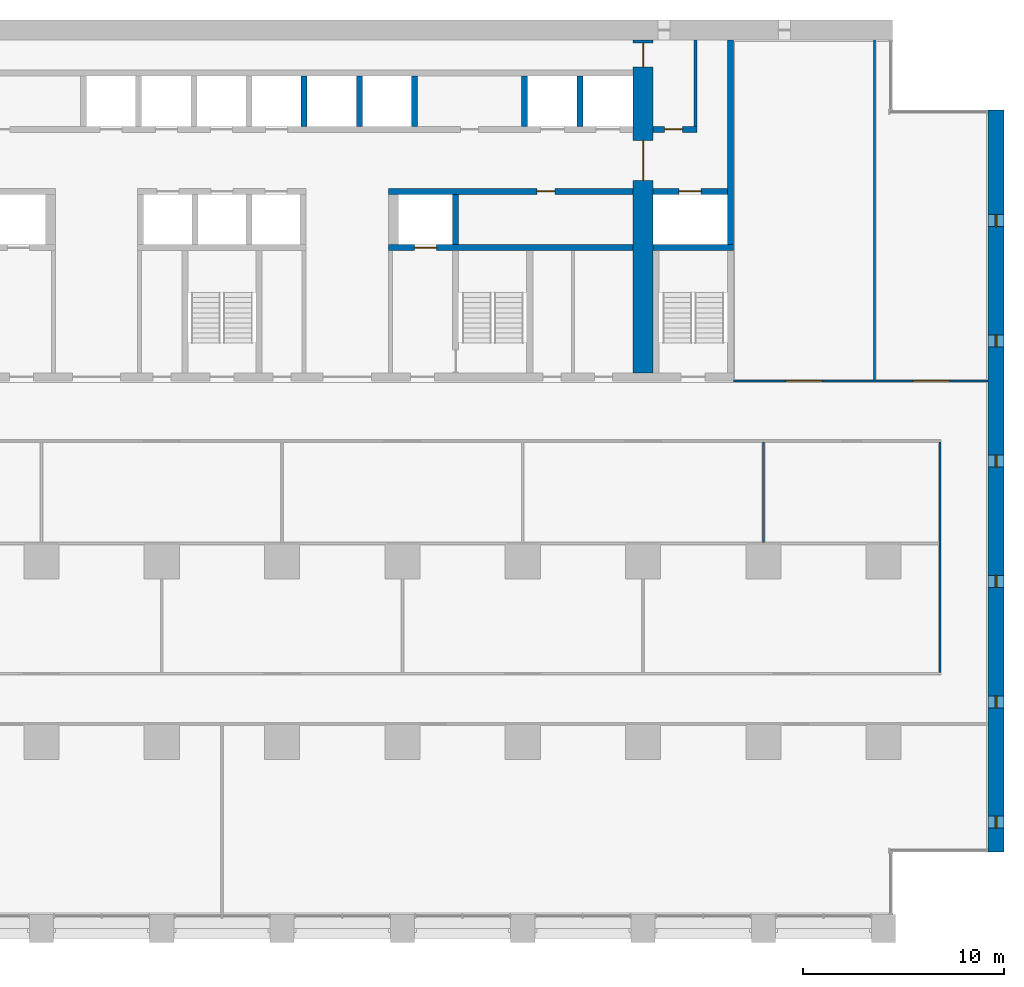
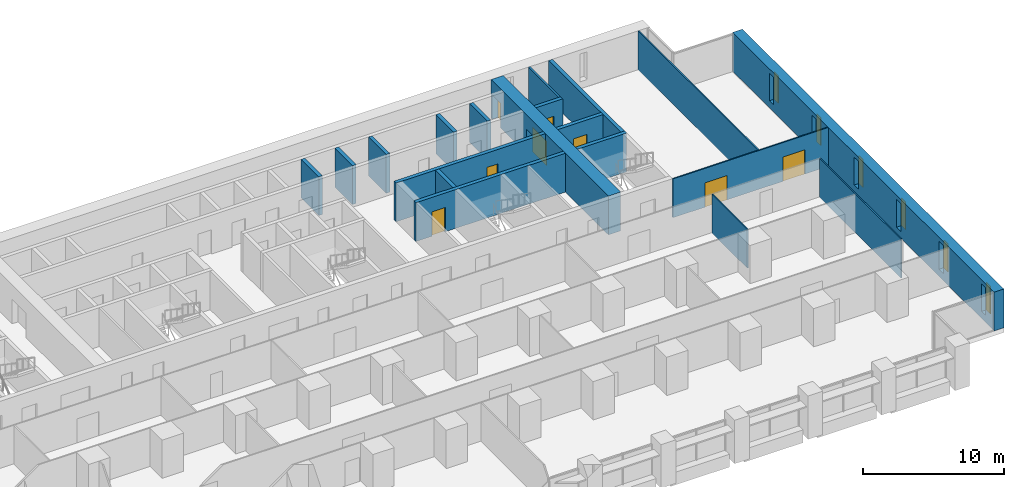
# One storey, part 13 of 18: 19 walls, 8 doors, 6 windows, 14 openings.
"""IFC4 building model written with IfcOpenShell, lengths in metres."""

from ifc_helpers import new_model, si_unit, direction, frame, frame_2d, origin, place, context, subcontext, project, spatial, rectangle, extrude, material, layer, layer_set, type_object, element, fill, save


model = new_model("IFC4")

# Units and contexts
model_context = context("Model", 3, precision=1e-05, world=origin(), true_north=direction((0.0, 1.0)))
body_context = subcontext(model_context, "Body", "Model", "MODEL_VIEW")
ifc_project = project(units=[si_unit("LENGTHUNIT", "METRE"), si_unit("AREAUNIT", "SQUARE_METRE"), si_unit("VOLUMEUNIT", "CUBIC_METRE"), si_unit("PLANEANGLEUNIT", "RADIAN"), si_unit("MASSUNIT", "GRAM", prefix="KILO")], contexts=[model_context])

# Site, building, storey
site_placement = place(None, origin())
site = spatial("IfcSite", under=ifc_project, at=site_placement, CompositionType="ELEMENT")
building_placement = place(site_placement, origin())
building = spatial("IfcBuilding", under=site, at=building_placement, Name="Calvaro Tower", CompositionType="ELEMENT")
storey_placement = place(building_placement, frame((0.0, 0.0, 41.25)))
storey = spatial("IfcBuildingStorey", under=building, at=storey_placement, Name="L09", CompositionType="ELEMENT", Elevation=41.25)

# Wall
ifc_material_1 = material(Name="Blockwork partition", Category="masonry")
ifc_layer_1 = layer(ifc_material_1, 0.14990234375)
ifc_layer_set_1 = layer_set([ifc_layer_1], Name="Blockwork partition")
wall_type_1 = type_object("IfcWallType", Name="Core partition 150 REI 120", PredefinedType="PARTITIONING", material=ifc_layer_set_1)
wall_1_placement = place(storey_placement, frame((62.625, 40.699951171875, 0.0), z_axis=(0.0, 0.0, 1.0), x_axis=(0.0, 1.0, 0.0)))
element("IfcWall", 1, at=wall_1_placement, inside=storey, type_object=wall_type_1, Name="Core partition", PredefinedType="PARTITIONING", context=body_context, shape_type="SweptSolid", body=[
    extrude(rectangle(XDim=4.300048828125, YDim=0.14990234375, at=frame_2d((2.14990234375, 0.0))), origin(), (0.0, 0.0, 1.0), 3.35009765625),
])

# Wall, opening, door
ifc_material_2 = material(Name="Blockwork partition", Category="masonry")
ifc_layer_2 = layer(ifc_material_2, 0.300048828125)
ifc_layer_set_2 = layer_set([ifc_layer_2], Name="Blockwork partition")
wall_type_2 = type_object("IfcWallType", Name="Core partition 300 REI 120", PredefinedType="PARTITIONING", material=ifc_layer_set_2)
wall_2_placement = place(storey_placement, frame((60.5, 40.550048828125, 0.0), z_axis=(0.0, 0.0, 1.0), x_axis=(1.0, 0.0, 0.0)))
wall_2 = element("IfcWall", 2, at=wall_2_placement, inside=storey, type_object=wall_type_2, Name="Core partition", PredefinedType="PARTITIONING", context=body_context, shape_type="SweptSolid", body=[
    extrude(rectangle(XDim=2.199951171875, YDim=0.300048828125, at=frame_2d((1.10009765625, 0.0))), origin(), (0.0, 0.0, 1.0), 3.35009765625),
])
opening_1_placement = place(wall_2_placement, frame((0.574951171875, 0.0, 0.0)))
opening_1 = element("IfcOpeningElement", 3, at=opening_1_placement, cuts=wall_2, Name="Opening RD9E", PredefinedType="OPENING", context=body_context, shape_type="SweptSolid", body=[
    extrude(rectangle(XDim=0.89990234375, YDim=2.10009765625, at=frame_2d((0.449951171875, 1.050048828125))), frame((0.0, 0.159912109375, 0.0), z_axis=(0.0, -1.0, 0.0), x_axis=(1.0, 0.0, 0.0)), (0.0, 0.0, 1.0), 0.320068359375),
])
ifc_material_3 = material(Name="Steel door set", Category="steel")
door_type_1 = type_object("IfcDoorType", Name="Room door 900 FD60", OperationType="SINGLE_SWING_LEFT", PredefinedType="DOOR", material=ifc_material_3)
door_1_placement = place(opening_1_placement, origin())
door_1 = element("IfcDoor", 4, at=door_1_placement, inside=storey, type_object=door_type_1, Name="Room door", OperationType="SINGLE_SWING_LEFT", OverallHeight=2.10009765625, OverallWidth=0.89990234375, PredefinedType="DOOR", context=body_context, shape_type="SweptSolid", body=[
    extrude(rectangle(XDim=0.89990234375, YDim=2.10009765625, at=frame_2d((0.449951171875, 1.050048828125))), frame((0.0, 0.02490234375, 0.0), z_axis=(0.0, -1.0, 0.0), x_axis=(1.0, 0.0, 0.0)), (0.0, 0.0, 1.0), 0.050048828125),
])
fill(opening_1, door_1)

# Wall, openings, doors
ifc_material_4 = material(Name="Concrete C80/95", Category="concrete")
ifc_layer_3 = layer(ifc_material_4, 1.0)
ifc_layer_set_3 = layer_set([ifc_layer_3], Name="Concrete C80/95")
wall_type_3 = type_object("IfcWallType", Name="Core wall C80/95 1000", PredefinedType="SHEAR", material=ifc_layer_set_3)
wall_3_placement = place(storey_placement, frame((60.0, 28.39990234375, 0.0), z_axis=(0.0, 0.0, 1.0), x_axis=(0.0, 1.0, 0.0)))
wall_3 = element("IfcWall", 5, at=wall_3_placement, inside=storey, type_object=wall_type_3, Name="Core wall, cross shear wall", PredefinedType="SHEAR", context=body_context, shape_type="SweptSolid", body=[
    extrude(rectangle(XDim=16.60009765625, YDim=1.0, at=frame_2d((8.300048828125, 0.0))), origin(), (0.0, 0.0, 1.0), 3.35009765625),
])
opening_2_placement = place(wall_3_placement, frame((9.60009765625, 0.0, 0.0)))
opening_2 = element("IfcOpeningElement", 6, at=opening_2_placement, cuts=wall_3, Name="Opening DD20D", PredefinedType="OPENING", context=body_context, shape_type="SweptSolid", body=[
    extrude(rectangle(XDim=2.0, YDim=2.10009765625, at=frame_2d((1.0, 1.050048828125))), frame((0.0, 0.510009765625, 0.0), z_axis=(0.0, -1.0, 0.0), x_axis=(1.0, 0.0, 0.0)), (0.0, 0.0, 1.0), 1.02001953125),
])
opening_3_placement = place(wall_3_placement, frame((15.25, 0.0, 0.0)))
opening_3 = element("IfcOpeningElement", 7, at=opening_3_placement, cuts=wall_3, Name="Opening FD12C", PredefinedType="OPENING", context=body_context, shape_type="SweptSolid", body=[
    extrude(rectangle(XDim=1.199951171875, YDim=2.10009765625, at=frame_2d((0.60009765625, 1.050048828125))), frame((0.0, 0.510009765625, 0.0), z_axis=(0.0, -1.0, 0.0), x_axis=(1.0, 0.0, 0.0)), (0.0, 0.0, 1.0), 1.02001953125),
])
ifc_material_5 = material(Name="Steel door set", Category="steel")
door_type_2 = type_object("IfcDoorType", Name="Fire door 1200 FD30", OperationType="SINGLE_SWING_LEFT", PredefinedType="DOOR", material=ifc_material_5)
door_2_placement = place(opening_3_placement, origin())
door_2 = element("IfcDoor", 8, at=door_2_placement, inside=storey, type_object=door_type_2, Name="Fire door", OperationType="SINGLE_SWING_LEFT", OverallHeight=2.10009765625, OverallWidth=1.199951171875, PredefinedType="DOOR", context=body_context, shape_type="SweptSolid", body=[
    extrude(rectangle(XDim=1.199951171875, YDim=2.10009765625, at=frame_2d((0.60009765625, 1.050048828125))), frame((0.0, 0.02490234375, 0.0), z_axis=(0.0, -1.0, 0.0), x_axis=(1.0, 0.0, 0.0)), (0.0, 0.0, 1.0), 0.050048828125),
])
fill(opening_3, door_2)
ifc_material_6 = material(Name="Steel door set", Category="steel")
door_type_3 = type_object("IfcDoorType", Name="Lobby double door 2000 FD30S", OperationType="DOUBLE_DOOR_SINGLE_SWING", PredefinedType="DOOR", material=ifc_material_6)
door_3_placement = place(opening_2_placement, origin())
door_3 = element("IfcDoor", 9, at=door_3_placement, inside=storey, type_object=door_type_3, Name="Lobby double door", OperationType="DOUBLE_DOOR_SINGLE_SWING", OverallHeight=2.10009765625, OverallWidth=2.0, PredefinedType="DOOR", context=body_context, shape_type="SweptSolid", body=[
    extrude(rectangle(XDim=2.0, YDim=2.10009765625, at=frame_2d((1.0, 1.050048828125))), frame((0.0, 0.02490234375, 0.0), z_axis=(0.0, -1.0, 0.0), x_axis=(1.0, 0.0, 0.0)), (0.0, 0.0, 1.0), 0.050048828125),
])
fill(opening_2, door_3)

# Wall
ifc_material_7 = material(Name="Concrete C80/95", Category="concrete")
ifc_layer_4 = layer(ifc_material_7, 0.300048828125)
ifc_layer_set_4 = layer_set([ifc_layer_4], Name="Concrete C80/95")
wall_type_4 = type_object("IfcWallType", Name="Core wall C80/95 300", PredefinedType="SHEAR", material=ifc_layer_set_4)
wall_4_placement = place(storey_placement, frame((64.35009765625, 34.800048828125, 0.0), z_axis=(0.0, 0.0, 1.0), x_axis=(0.0, 1.0, 0.0)))
element("IfcWall", 10, at=wall_4_placement, inside=storey, type_object=wall_type_4, Name="Core wall, boundary", PredefinedType="SHEAR", context=body_context, shape_type="SweptSolid", body=[
    extrude(rectangle(XDim=10.199951171875, YDim=0.300048828125, at=frame_2d((5.10009765625, 0.0))), origin(), (0.0, 0.0, 1.0), 3.35009765625),
])

# Wall, opening, door
wall_5_placement = place(storey_placement, frame((47.300048828125, 34.64990234375, 0.0), z_axis=(0.0, 0.0, 1.0), x_axis=(1.0, 0.0, 0.0)))
wall_5 = element("IfcWall", 11, at=wall_5_placement, inside=storey, type_object=wall_type_4, Name="Core wall, lift shaft", PredefinedType="SHEAR", context=body_context, shape_type="SweptSolid", body=[
    extrude(rectangle(XDim=12.199951171875, YDim=0.300048828125, at=frame_2d((6.10009765625, 0.0))), origin(), (0.0, 0.0, 1.0), 3.35009765625),
])
opening_4_placement = place(wall_5_placement, frame((1.300048828125, 0.0, 0.0)))
opening_4 = element("IfcOpeningElement", 12, at=opening_4_placement, cuts=wall_5, Name="Opening FF2", PredefinedType="OPENING", context=body_context, shape_type="SweptSolid", body=[
    extrude(rectangle(XDim=1.10009765625, YDim=2.10009765625, at=frame_2d((0.550048828125, 1.050048828125))), frame((0.0, 0.159912109375, 0.0), z_axis=(0.0, -1.0, 0.0), x_axis=(1.0, 0.0, 0.0)), (0.0, 0.0, 1.0), 0.320068359375),
])
ifc_material_8 = material(Name="Stainless steel", Category="steel")
door_type_4 = type_object("IfcDoorType", Name="Landing door 1100 E 60", OperationType="SLIDING_TO_LEFT", PredefinedType="DOOR", material=ifc_material_8)
door_4_placement = place(opening_4_placement, origin())
door_4 = element("IfcDoor", 13, at=door_4_placement, inside=storey, type_object=door_type_4, Name="Landing door FF2", OperationType="SLIDING_TO_LEFT", OverallHeight=2.10009765625, OverallWidth=1.10009765625, PredefinedType="DOOR", context=body_context, shape_type="SweptSolid", body=[
    extrude(rectangle(XDim=1.10009765625, YDim=2.10009765625, at=frame_2d((0.550048828125, 1.050048828125))), frame((0.0, 0.02490234375, 0.0), z_axis=(0.0, -1.0, 0.0), x_axis=(1.0, 0.0, 0.0)), (0.0, 0.0, 1.0), 0.050048828125),
])
fill(opening_4, door_4)

# Wall
wall_6_placement = place(storey_placement, frame((60.5, 34.64990234375, 0.0), z_axis=(0.0, 0.0, 1.0), x_axis=(1.0, 0.0, 0.0)))
element("IfcWall", 14, at=wall_6_placement, inside=storey, type_object=wall_type_4, Name="Core wall, lift shaft", PredefinedType="SHEAR", context=body_context, shape_type="SweptSolid", body=[
    extrude(rectangle(XDim=4.0, YDim=0.300048828125, at=frame_2d((2.0, 0.0))), origin(), (0.0, 0.0, 1.0), 3.35009765625),
])

# Wall, opening, door
wall_7_placement = place(storey_placement, frame((59.5, 37.449951171875, 0.0), z_axis=(0.0, 0.0, 1.0), x_axis=(-1.0, 0.0, 0.0)))
wall_7 = element("IfcWall", 15, at=wall_7_placement, inside=storey, type_object=wall_type_4, Name="Core wall, bay", PredefinedType="SHEAR", context=body_context, shape_type="SweptSolid", body=[
    extrude(rectangle(XDim=12.199951171875, YDim=0.300048828125, at=frame_2d((6.10009765625, 0.0))), origin(), (0.0, 0.0, 1.0), 3.35009765625),
])
opening_5_placement = place(wall_7_placement, frame((3.89990234375, 0.0, 0.0)))
opening_5 = element("IfcOpeningElement", 16, at=opening_5_placement, cuts=wall_7, Name="Opening RD9C", PredefinedType="OPENING", context=body_context, shape_type="SweptSolid", body=[
    extrude(rectangle(XDim=0.89990234375, YDim=2.10009765625, at=frame_2d((0.449951171875, 1.050048828125))), frame((0.0, 0.159912109375, 0.0), z_axis=(0.0, -1.0, 0.0), x_axis=(1.0, 0.0, 0.0)), (0.0, 0.0, 1.0), 0.320068359375),
])
ifc_material_9 = material(Name="Steel door set", Category="steel")
door_type_5 = type_object("IfcDoorType", Name="Room door 900 FD30", OperationType="SINGLE_SWING_LEFT", PredefinedType="DOOR", material=ifc_material_9)
door_5_placement = place(opening_5_placement, origin())
door_5 = element("IfcDoor", 17, at=door_5_placement, inside=storey, type_object=door_type_5, Name="Room door", OperationType="SINGLE_SWING_RIGHT", OverallHeight=2.10009765625, OverallWidth=0.89990234375, PredefinedType="DOOR", context=body_context, shape_type="SweptSolid", body=[
    extrude(rectangle(XDim=0.89990234375, YDim=2.10009765625, at=frame_2d((0.449951171875, 1.050048828125))), frame((0.0, 0.02490234375, 0.0), z_axis=(0.0, -1.0, 0.0), x_axis=(1.0, 0.0, 0.0)), (0.0, 0.0, 1.0), 0.050048828125),
])
fill(opening_5, door_5)

wall_8_placement = place(storey_placement, frame((60.5, 37.449951171875, 0.0), z_axis=(0.0, 0.0, 1.0), x_axis=(1.0, 0.0, 0.0)))
wall_8 = element("IfcWall", 18, at=wall_8_placement, inside=storey, type_object=wall_type_4, Name="Core wall, lift shaft", PredefinedType="SHEAR", context=body_context, shape_type="SweptSolid", body=[
    extrude(rectangle(XDim=3.699951171875, YDim=0.300048828125, at=frame_2d((1.85009765625, 0.0))), origin(), (0.0, 0.0, 1.0), 3.35009765625),
])
opening_6_placement = place(wall_8_placement, frame((1.300048828125, 0.0, 0.0)))
opening_6 = element("IfcOpeningElement", 19, at=opening_6_placement, cuts=wall_8, Name="Opening FF3", PredefinedType="OPENING", context=body_context, shape_type="SweptSolid", body=[
    extrude(rectangle(XDim=1.10009765625, YDim=2.10009765625, at=frame_2d((0.550048828125, 1.050048828125))), frame((0.0, 0.159912109375, 0.0), z_axis=(0.0, -1.0, 0.0), x_axis=(1.0, 0.0, 0.0)), (0.0, 0.0, 1.0), 0.320068359375),
])
door_6_placement = place(opening_6_placement, origin())
door_6 = element("IfcDoor", 20, at=door_6_placement, inside=storey, type_object=door_type_4, Name="Landing door FF3", OperationType="SLIDING_TO_LEFT", OverallHeight=2.10009765625, OverallWidth=1.10009765625, PredefinedType="DOOR", context=body_context, shape_type="SweptSolid", body=[
    extrude(rectangle(XDim=1.10009765625, YDim=2.10009765625, at=frame_2d((0.550048828125, 1.050048828125))), frame((0.0, 0.02490234375, 0.0), z_axis=(0.0, -1.0, 0.0), x_axis=(1.0, 0.0, 0.0)), (0.0, 0.0, 1.0), 0.050048828125),
])
fill(opening_6, door_6)

# Walls
for number, where, z_axis, x_axis, name in (
    (21, (50.64990234375, 34.800048828125, 0.0), (0.0, 0.0, 1.0), (0.0, 1.0, 0.0), "Core wall, lift shaft"),
    (22, (43.10009765625, 40.699951171875, 0.0), (0.0, 0.0, 1.0), (0.0, 1.0, 0.0), "Core wall, lift shaft"),
    (23, (45.85009765625, 40.699951171875, 0.0), (0.0, 0.0, 1.0), (0.0, 1.0, 0.0), "Core wall, lift shaft"),
    (24, (48.60009765625, 40.699951171875, 0.0), (0.0, 0.0, 1.0), (0.0, 1.0, 0.0), "Core wall, lift shaft"),
    (25, (54.10009765625, 40.699951171875, 0.0), (0.0, 0.0, 1.0), (0.0, 1.0, 0.0), "Core wall, lift shaft"),
    (26, (56.85009765625, 40.699951171875, 0.0), (0.0, 0.0, 1.0), (0.0, 1.0, 0.0), "Core wall, lift shaft"),
):
    element("IfcWall", number, at=place(storey_placement, frame(where, z_axis=z_axis, x_axis=x_axis)), inside=storey, type_object=wall_type_4, Name=name, PredefinedType="SHEAR", context=body_context, shape_type="SweptSolid", body=[
        extrude(rectangle(XDim=2.5, YDim=0.300048828125, at=frame_2d((1.25, 0.0))), origin(), (0.0, 0.0, 1.0), 3.35009765625),
    ])

# Wall, openings, windows
ifc_material_10 = material(Name="Concrete C80/95", Category="concrete")
ifc_layer_5 = layer(ifc_material_10, 0.800048828125)
ifc_layer_set_5 = layer_set([ifc_layer_5], Name="Concrete C80/95")
wall_type_5 = type_object("IfcWallType", Name="End wall 800 C80/95", PredefinedType="SHEAR", material=ifc_layer_set_5)
wall_9_placement = place(storey_placement, frame((77.60009765625, 4.5, 0.0), z_axis=(0.0, 0.0, 1.0), x_axis=(0.0, 1.0, 0.0)))
wall_9 = element("IfcWall", 27, at=wall_9_placement, inside=storey, type_object=wall_type_5, Name="End shear wall", PredefinedType="SHEAR", context=body_context, shape_type="SweptSolid", body=[
    extrude(rectangle(XDim=37.0, YDim=0.800048828125, at=frame_2d((18.5, 0.0))), origin(), (0.0, 0.0, 1.0), 3.35009765625),
])
opening_7_placement = place(wall_9_placement, frame((1.199951171875, 0.0, 0.60009765625)))
opening_7 = element("IfcOpeningElement", 28, at=opening_7_placement, cuts=wall_9, Name="Opening WE01", PredefinedType="OPENING", context=body_context, shape_type="SweptSolid", body=[
    extrude(rectangle(XDim=0.60009765625, YDim=2.39990234375, at=frame_2d((0.300048828125, 1.199951171875))), frame((0.0, 0.409912109375, 0.0), z_axis=(0.0, -1.0, 0.0), x_axis=(1.0, 0.0, 0.0)), (0.0, 0.0, 1.0), 0.820068359375),
])
opening_8_placement = place(wall_9_placement, frame((7.199951171875, 0.0, 0.60009765625)))
opening_8 = element("IfcOpeningElement", 29, at=opening_8_placement, cuts=wall_9, Name="Opening WE02", PredefinedType="OPENING", context=body_context, shape_type="SweptSolid", body=[
    extrude(rectangle(XDim=0.60009765625, YDim=2.39990234375, at=frame_2d((0.300048828125, 1.199951171875))), frame((0.0, 0.409912109375, 0.0), z_axis=(0.0, -1.0, 0.0), x_axis=(1.0, 0.0, 0.0)), (0.0, 0.0, 1.0), 0.820068359375),
])
opening_9_placement = place(wall_9_placement, frame((13.199951171875, 0.0, 0.60009765625)))
opening_9 = element("IfcOpeningElement", 30, at=opening_9_placement, cuts=wall_9, Name="Opening WE03", PredefinedType="OPENING", context=body_context, shape_type="SweptSolid", body=[
    extrude(rectangle(XDim=0.60009765625, YDim=2.39990234375, at=frame_2d((0.300048828125, 1.199951171875))), frame((0.0, 0.409912109375, 0.0), z_axis=(0.0, -1.0, 0.0), x_axis=(1.0, 0.0, 0.0)), (0.0, 0.0, 1.0), 0.820068359375),
])
opening_10_placement = place(wall_9_placement, frame((19.199951171875, 0.0, 0.60009765625)))
opening_10 = element("IfcOpeningElement", 31, at=opening_10_placement, cuts=wall_9, Name="Opening WE04", PredefinedType="OPENING", context=body_context, shape_type="SweptSolid", body=[
    extrude(rectangle(XDim=0.60009765625, YDim=2.39990234375, at=frame_2d((0.300048828125, 1.199951171875))), frame((0.0, 0.409912109375, 0.0), z_axis=(0.0, -1.0, 0.0), x_axis=(1.0, 0.0, 0.0)), (0.0, 0.0, 1.0), 0.820068359375),
])
opening_11_placement = place(wall_9_placement, frame((25.199951171875, 0.0, 0.60009765625)))
opening_11 = element("IfcOpeningElement", 32, at=opening_11_placement, cuts=wall_9, Name="Opening WE05", PredefinedType="OPENING", context=body_context, shape_type="SweptSolid", body=[
    extrude(rectangle(XDim=0.60009765625, YDim=2.39990234375, at=frame_2d((0.300048828125, 1.199951171875))), frame((0.0, 0.409912109375, 0.0), z_axis=(0.0, -1.0, 0.0), x_axis=(1.0, 0.0, 0.0)), (0.0, 0.0, 1.0), 0.820068359375),
])
opening_12_placement = place(wall_9_placement, frame((31.199951171875, 0.0, 0.60009765625)))
opening_12 = element("IfcOpeningElement", 33, at=opening_12_placement, cuts=wall_9, Name="Opening WE06", PredefinedType="OPENING", context=body_context, shape_type="SweptSolid", body=[
    extrude(rectangle(XDim=0.60009765625, YDim=2.39990234375, at=frame_2d((0.300048828125, 1.199951171875))), frame((0.0, 0.409912109375, 0.0), z_axis=(0.0, -1.0, 0.0), x_axis=(1.0, 0.0, 0.0)), (0.0, 0.0, 1.0), 0.820068359375),
])
ifc_material_11 = material(Name="Glass", Category="glass")
window_type = type_object("IfcWindowType", Name="Slit window 600 x 2400", PartitioningType="SINGLE_PANEL", PredefinedType="WINDOW", material=ifc_material_11)
window_1_placement = place(opening_7_placement, origin())
window_1 = element("IfcWindow", 34, at=window_1_placement, inside=storey, type_object=window_type, Name="Window WE01", OverallHeight=2.39990234375, OverallWidth=0.60009765625, PartitioningType="SINGLE_PANEL", PredefinedType="WINDOW", context=body_context, shape_type="SweptSolid", body=[
    extrude(rectangle(XDim=0.60009765625, YDim=2.39990234375, at=frame_2d((0.300048828125, 1.199951171875))), frame((0.0, 0.030029296875, 0.0), z_axis=(0.0, -1.0, 0.0), x_axis=(1.0, 0.0, 0.0)), (0.0, 0.0, 1.0), 0.06005859375),
])
fill(opening_7, window_1)
window_2_placement = place(opening_8_placement, origin())
window_2 = element("IfcWindow", 35, at=window_2_placement, inside=storey, type_object=window_type, Name="Window WE02", OverallHeight=2.39990234375, OverallWidth=0.60009765625, PartitioningType="SINGLE_PANEL", PredefinedType="WINDOW", context=body_context, shape_type="SweptSolid", body=[
    extrude(rectangle(XDim=0.60009765625, YDim=2.39990234375, at=frame_2d((0.300048828125, 1.199951171875))), frame((0.0, 0.030029296875, 0.0), z_axis=(0.0, -1.0, 0.0), x_axis=(1.0, 0.0, 0.0)), (0.0, 0.0, 1.0), 0.06005859375),
])
fill(opening_8, window_2)
window_3_placement = place(opening_9_placement, origin())
window_3 = element("IfcWindow", 36, at=window_3_placement, inside=storey, type_object=window_type, Name="Window WE03", OverallHeight=2.39990234375, OverallWidth=0.60009765625, PartitioningType="SINGLE_PANEL", PredefinedType="WINDOW", context=body_context, shape_type="SweptSolid", body=[
    extrude(rectangle(XDim=0.60009765625, YDim=2.39990234375, at=frame_2d((0.300048828125, 1.199951171875))), frame((0.0, 0.030029296875, 0.0), z_axis=(0.0, -1.0, 0.0), x_axis=(1.0, 0.0, 0.0)), (0.0, 0.0, 1.0), 0.06005859375),
])
fill(opening_9, window_3)
window_4_placement = place(opening_10_placement, origin())
window_4 = element("IfcWindow", 37, at=window_4_placement, inside=storey, type_object=window_type, Name="Window WE04", OverallHeight=2.39990234375, OverallWidth=0.60009765625, PartitioningType="SINGLE_PANEL", PredefinedType="WINDOW", context=body_context, shape_type="SweptSolid", body=[
    extrude(rectangle(XDim=0.60009765625, YDim=2.39990234375, at=frame_2d((0.300048828125, 1.199951171875))), frame((0.0, 0.030029296875, 0.0), z_axis=(0.0, -1.0, 0.0), x_axis=(1.0, 0.0, 0.0)), (0.0, 0.0, 1.0), 0.06005859375),
])
fill(opening_10, window_4)
window_5_placement = place(opening_11_placement, origin())
window_5 = element("IfcWindow", 38, at=window_5_placement, inside=storey, type_object=window_type, Name="Window WE05", OverallHeight=2.39990234375, OverallWidth=0.60009765625, PartitioningType="SINGLE_PANEL", PredefinedType="WINDOW", context=body_context, shape_type="SweptSolid", body=[
    extrude(rectangle(XDim=0.60009765625, YDim=2.39990234375, at=frame_2d((0.300048828125, 1.199951171875))), frame((0.0, 0.030029296875, 0.0), z_axis=(0.0, -1.0, 0.0), x_axis=(1.0, 0.0, 0.0)), (0.0, 0.0, 1.0), 0.06005859375),
])
fill(opening_11, window_5)
window_6_placement = place(opening_12_placement, origin())
window_6 = element("IfcWindow", 39, at=window_6_placement, inside=storey, type_object=window_type, Name="Window WE06", OverallHeight=2.39990234375, OverallWidth=0.60009765625, PartitioningType="SINGLE_PANEL", PredefinedType="WINDOW", context=body_context, shape_type="SweptSolid", body=[
    extrude(rectangle(XDim=0.60009765625, YDim=2.39990234375, at=frame_2d((0.300048828125, 1.199951171875))), frame((0.0, 0.030029296875, 0.0), z_axis=(0.0, -1.0, 0.0), x_axis=(1.0, 0.0, 0.0)), (0.0, 0.0, 1.0), 0.06005859375),
])
fill(opening_12, window_6)

# Wall, openings, doors
ifc_material_12 = material(Name="Plasterboard on steel studs", Category="steel")
ifc_layer_6 = layer(ifc_material_12, 0.10009765625)
ifc_layer_set_6 = layer_set([ifc_layer_6], Name="Plasterboard on steel studs")
wall_type_6 = type_object("IfcWallType", Name="Partition 100", PredefinedType="PARTITIONING", material=ifc_layer_set_6)
wall_10_placement = place(storey_placement, frame((64.5, 28.0, 0.0), z_axis=(0.0, 0.0, 1.0), x_axis=(1.0, 0.0, 0.0)))
wall_10 = element("IfcWall", 40, at=wall_10_placement, inside=storey, type_object=wall_type_6, Name="Partition T09.W006", PredefinedType="PARTITIONING", context=body_context, shape_type="SweptSolid", body=[
    extrude(rectangle(XDim=12.699951171875, YDim=0.10009765625, at=frame_2d((6.35009765625, 0.0))), origin(), (0.0, 0.0, 1.0), 3.35009765625),
])
opening_13_placement = place(wall_10_placement, frame((8.97509765625, 0.0, 0.0)))
opening_13 = element("IfcOpeningElement", 41, at=opening_13_placement, cuts=wall_10, Name="Opening T09.018", PredefinedType="OPENING", context=body_context, shape_type="SweptSolid", body=[
    extrude(rectangle(XDim=1.800048828125, YDim=2.10009765625, at=frame_2d((0.89990234375, 1.050048828125))), frame((0.0, 0.06005859375, 0.0), z_axis=(0.0, -1.0, 0.0), x_axis=(1.0, 0.0, 0.0)), (0.0, 0.0, 1.0), 0.1201171875),
])
opening_14_placement = place(wall_10_placement, frame((2.625, 0.0, 0.0)))
opening_14 = element("IfcOpeningElement", 42, at=opening_14_placement, cuts=wall_10, Name="Opening T09.020", PredefinedType="OPENING", context=body_context, shape_type="SweptSolid", body=[
    extrude(rectangle(XDim=1.800048828125, YDim=2.10009765625, at=frame_2d((0.89990234375, 1.050048828125))), frame((0.0, 0.06005859375, 0.0), z_axis=(0.0, -1.0, 0.0), x_axis=(1.0, 0.0, 0.0)), (0.0, 0.0, 1.0), 0.1201171875),
])
ifc_material_13 = material(Name="Timber", Category="wood")
door_type_6 = type_object("IfcDoorType", Name="Internal double door 1800 x 2100", OperationType="DOUBLE_DOOR_SINGLE_SWING", PredefinedType="DOOR", material=ifc_material_13)
door_7_placement = place(opening_13_placement, origin())
door_7 = element("IfcDoor", 43, at=door_7_placement, inside=storey, type_object=door_type_6, Name="Door T09.018", OperationType="DOUBLE_DOOR_SINGLE_SWING", OverallHeight=2.10009765625, OverallWidth=1.800048828125, PredefinedType="DOOR", context=body_context, shape_type="SweptSolid", body=[
    extrude(rectangle(XDim=1.800048828125, YDim=2.10009765625, at=frame_2d((0.89990234375, 1.050048828125))), frame((0.0, 0.02490234375, 0.0), z_axis=(0.0, -1.0, 0.0), x_axis=(1.0, 0.0, 0.0)), (0.0, 0.0, 1.0), 0.050048828125),
])
fill(opening_13, door_7)
door_8_placement = place(opening_14_placement, origin())
door_8 = element("IfcDoor", 44, at=door_8_placement, inside=storey, type_object=door_type_6, Name="Door T09.020", OperationType="DOUBLE_DOOR_SINGLE_SWING", OverallHeight=2.10009765625, OverallWidth=1.800048828125, PredefinedType="DOOR", context=body_context, shape_type="SweptSolid", body=[
    extrude(rectangle(XDim=1.800048828125, YDim=2.10009765625, at=frame_2d((0.89990234375, 1.050048828125))), frame((0.0, 0.02490234375, 0.0), z_axis=(0.0, -1.0, 0.0), x_axis=(1.0, 0.0, 0.0)), (0.0, 0.0, 1.0), 0.050048828125),
])
fill(opening_14, door_8)

# Walls
wall_11_placement = place(storey_placement, frame((66.0, 19.949951171875, 0.0), z_axis=(0.0, 0.0, 1.0), x_axis=(0.0, 1.0, 0.0)))
element("IfcWall", 45, at=wall_11_placement, inside=storey, type_object=wall_type_6, Name="Partition T09.W019", PredefinedType="PARTITIONING", context=body_context, shape_type="SweptSolid", body=[
    extrude(rectangle(XDim=5.0, YDim=0.10009765625, at=frame_2d((2.5, 0.0))), origin(), (0.0, 0.0, 1.0), 3.35009765625),
])
wall_12_placement = place(storey_placement, frame((71.550048828125, 28.050048828125, 0.0), z_axis=(0.0, 0.0, 1.0), x_axis=(0.0, 1.0, 0.0)))
element("IfcWall", 46, at=wall_12_placement, inside=storey, type_object=wall_type_6, Name="Partition T09.W020", PredefinedType="PARTITIONING", context=body_context, shape_type="SweptSolid", body=[
    extrude(rectangle(XDim=16.949951171875, YDim=0.10009765625, at=frame_2d((8.47509765625, 0.0))), origin(), (0.0, 0.0, 1.0), 3.35009765625),
])
wall_13_placement = place(storey_placement, frame((74.800048828125, 13.449951171875, 0.0), z_axis=(0.0, 0.0, 1.0), x_axis=(0.0, 1.0, 0.0)))
element("IfcWall", 47, at=wall_13_placement, inside=storey, type_object=wall_type_6, Name="Partition T09.W021", PredefinedType="PARTITIONING", context=body_context, shape_type="SweptSolid", body=[
    extrude(rectangle(XDim=11.5, YDim=0.10009765625, at=frame_2d((5.75, 0.0))), origin(), (0.0, 0.0, 1.0), 3.35009765625),
])

save(model, "model.ifc")
